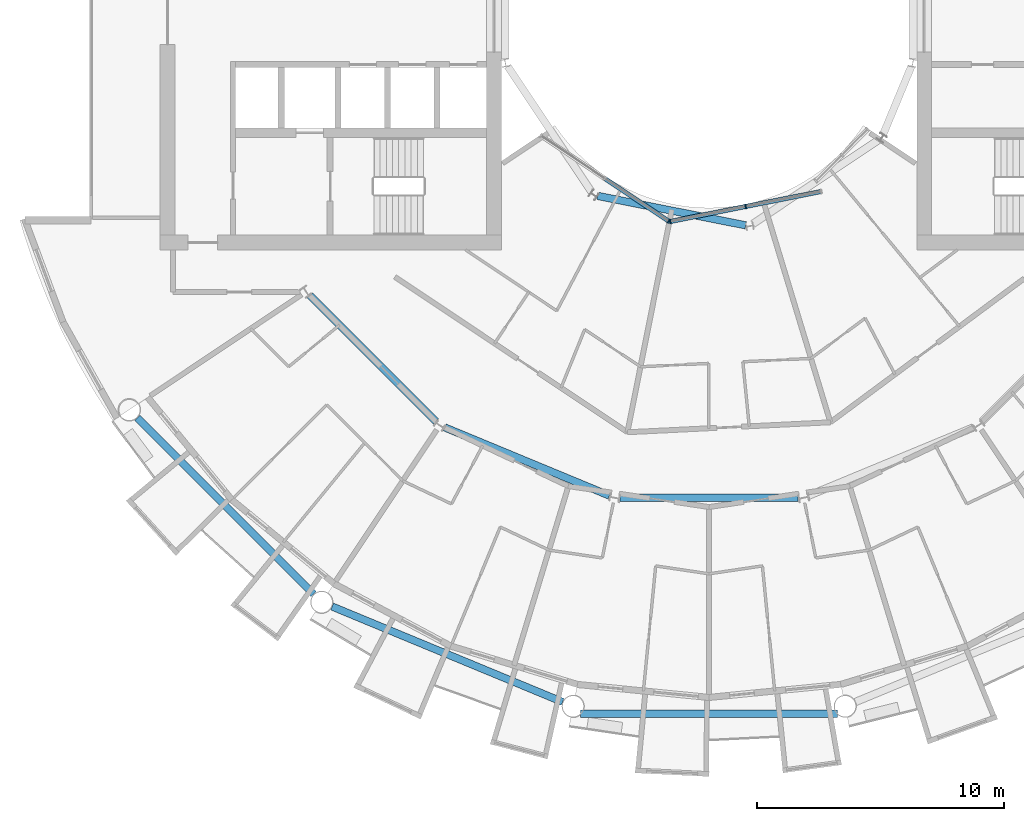
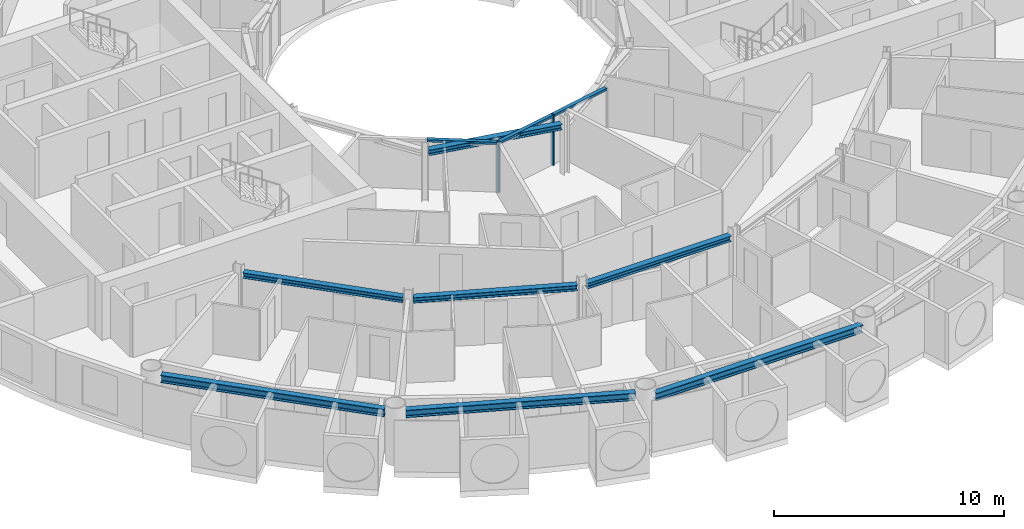
# One storey, part 5 of 27: 7 beams, 6 members, 2 elements without a shape of their own.
"""IFC4 building model written with IfcOpenShell, lengths in metres."""

from ifc_helpers import new_model, si_unit, direction, frame, origin, origin_2d, place, context, subcontext, project, spatial, rectangle, i_section, extrude, material, layer, layer_set, material_profile, profile_set, type_object, element, aggregate, save


model = new_model("IFC4")

# Units and contexts
model_context = context("Model", 3, precision=1e-05, world=origin(), true_north=direction((0.0, 1.0)))
body_context = subcontext(model_context, "Body", "Model", "MODEL_VIEW")
ifc_project = project(units=[si_unit("LENGTHUNIT", "METRE"), si_unit("AREAUNIT", "SQUARE_METRE"), si_unit("VOLUMEUNIT", "CUBIC_METRE"), si_unit("PLANEANGLEUNIT", "RADIAN"), si_unit("MASSUNIT", "GRAM", prefix="KILO")], contexts=[model_context])

# Site, building, storey
site_placement = place(None, origin())
site = spatial("IfcSite", under=ifc_project, at=site_placement, CompositionType="ELEMENT")
building_placement = place(site_placement, origin())
building = spatial("IfcBuilding", under=site, at=building_placement, Name="Maasbend Ring Residences", CompositionType="ELEMENT")
storey_placement = place(building_placement, frame((0.0, 0.0, 126.89990234375)))
storey = spatial("IfcBuildingStorey", under=building, at=storey_placement, Name="L36", CompositionType="ELEMENT", Elevation=126.89990234375)

# Curtain wall, member
ifc_material_1 = material(Name="Aluminium and clear glass", Category="aluminium")
ifc_layer = layer(ifc_material_1, 0.179931640625)
ifc_layer_set = layer_set([ifc_layer], Name="CW-W")
curtain_wall_type = type_object("IfcCurtainWallType", Name="CW-W", PredefinedType="NOTDEFINED", material=ifc_layer_set)
curtain_wall_1_placement = place(storey_placement, origin())
curtain_wall_1 = element("IfcCurtainWall", 1, at=curtain_wall_1_placement, inside=storey, type_object=curtain_wall_type, Name="Well curtain wall S1", PredefinedType="NOTDEFINED")
ifc_material_2 = material(Name="Aluminium 6063-T6", Category="aluminium")
ifc_material_profile_1 = material_profile(ifc_material_2, rectangle(XDim=0.179931640625, YDim=0.06005859375, at=origin_2d()), Name="AL 180x60")
ifc_profile_set_1 = profile_set([ifc_material_profile_1], Name="Aluminium 6063-T6")
member_type_1 = type_object("IfcMemberType", Name="CWM-W", PredefinedType="MULLION", material=ifc_profile_set_1)
member_1_placement = place(storey_placement, frame((-1.627685546875, -8.040771484375, 0.0), z_axis=(0.0, 0.0, 1.0), x_axis=(0.55557023302, 0.831469612303, 0.0)))
member_1 = element("IfcMember", 2, at=member_1_placement, type_object=member_type_1, Name="Mullion well face", PredefinedType="MULLION", context=body_context, shape_type="SweptSolid", body=[
    extrude(rectangle(XDim=0.179931640625, YDim=0.06005859375, at=origin_2d()), origin(), (0.0, 0.0, 1.0), 2.7001953125),
])

# Curtain wall, members
curtain_wall_2_placement = place(storey_placement, origin())
curtain_wall_2 = element("IfcCurtainWall", 3, at=curtain_wall_2_placement, inside=storey, type_object=curtain_wall_type, Name="Well curtain wall S2", PredefinedType="NOTDEFINED")
member_2_placement = place(storey_placement, frame((-1.5732421875, -8.0517578125, 0.0), z_axis=(0.0, 0.0, 1.0), x_axis=(-0.195090322016, 0.980785280403, 0.0)))
member_2 = element("IfcMember", 4, at=member_2_placement, type_object=member_type_1, Name="Mullion well face", PredefinedType="MULLION", context=body_context, shape_type="SweptSolid", body=[
    extrude(rectangle(XDim=0.179931640625, YDim=0.06005859375, at=origin_2d()), origin(), (0.0, 0.0, 1.0), 2.7001953125),
])
member_3_placement = place(storey_placement, frame((1.480712890625, -7.444091796875, 0.0), z_axis=(0.0, 0.0, 1.0), x_axis=(-0.195090322016, 0.980785280403, 0.0)))
member_3 = element("IfcMember", 5, at=member_3_placement, type_object=member_type_1, Name="Mullion well face", PredefinedType="MULLION", context=body_context, shape_type="SweptSolid", body=[
    extrude(rectangle(XDim=0.179931640625, YDim=0.06005859375, at=origin_2d()), origin(), (0.0, 0.0, 1.0), 2.7001953125),
])

# Member
ifc_material_3 = material(Name="Aluminium 6063-T6", Category="aluminium")
ifc_material_profile_2 = material_profile(ifc_material_3, rectangle(XDim=0.179931640625, YDim=0.1201171875, at=origin_2d()), Name="AL 180x120")
ifc_profile_set_2 = profile_set([ifc_material_profile_2], Name="Aluminium 6063-T6")
member_type_2 = type_object("IfcMemberType", Name="CWT-W", PredefinedType="USERDEFINED", material=ifc_profile_set_2)
member_4_placement = place(storey_placement, frame((-4.19189453125, -6.32763671875, 2.64013671875), z_axis=(0.831496422459, -0.555530106689, 0.0), x_axis=(0.555530106689, 0.831496422459, 0.0)))
member_4 = element("IfcMember", 6, at=member_4_placement, type_object=member_type_2, Name="Transom well face", ObjectType="TRANSOM", PredefinedType="USERDEFINED", context=body_context, shape_type="SweptSolid", body=[
    extrude(rectangle(XDim=0.179931640625, YDim=0.1201171875, at=origin_2d()), origin(), (0.0, 0.0, 1.0), 3.053955078125),
])

aggregate(curtain_wall_1, [member_1, member_4])

member_5_placement = place(storey_placement, frame((-1.5439453125, -8.0458984375, 2.64013671875), z_axis=(0.980776956105, 0.195132166424, 0.0), x_axis=(-0.195132166424, 0.980776956105, 0.0)))
member_5 = element("IfcMember", 7, at=member_5_placement, type_object=member_type_2, Name="Transom well face", ObjectType="TRANSOM", PredefinedType="USERDEFINED", context=body_context, shape_type="SweptSolid", body=[
    extrude(rectangle(XDim=0.179931640625, YDim=0.1201171875, at=origin_2d()), origin(), (0.0, 0.0, 1.0), 3.053955078125),
])

member_6_placement = place(storey_placement, frame((1.51025390625, -7.438232421875, 2.64013671875), z_axis=(0.980789210404, 0.19507056353, 0.0), x_axis=(-0.19507056353, 0.980789210404, 0.0)))
member_6 = element("IfcMember", 8, at=member_6_placement, type_object=member_type_2, Name="Transom well face", ObjectType="TRANSOM", PredefinedType="USERDEFINED", context=body_context, shape_type="SweptSolid", body=[
    extrude(rectangle(XDim=0.179931640625, YDim=0.1201171875, at=origin_2d()), origin(), (0.0, 0.0, 1.0), 3.0537109375),
])

aggregate(curtain_wall_2, [member_2, member_3, member_5, member_6])

# Beams
ifc_material_4 = material(Name="Steel S355J2", Category="steel")
ifc_material_profile_3 = material_profile(ifc_material_4, i_section(OverallWidth=0.300048828125, OverallDepth=0.2900390625, WebThickness=0.008544921875, FlangeThickness=0.013916015625, FilletRadius=0.027099609375, at=origin_2d()), Name="HEA 300")
ifc_profile_set_3 = profile_set([ifc_material_profile_3], Name="Steel S355J2")
beam_type_1 = type_object("IfcBeamType", Name="Corridor ring beam HEA 300", PredefinedType="BEAM", material=ifc_profile_set_3)
for number, where, z_axis, x_axis, name in (
    (9, (-16.14111328125, -11.044921875, 2.55517578125), (0.707106781187, -0.707106781187, 0.0), (0.707106781187, 0.707106781187, 0.0), "Corridor ring beam"),
    (10, (-10.685791015625, -16.381103515625, 2.55517578125), (0.923877693919, -0.382687871089, 0.0), (0.382687871089, 0.923877693919, 0.0), "Corridor ring beam"),
    (11, (-3.603515625, -19.223388671875, 2.55517578125), (1.0, 0.0, 0.0), (0.0, 1.0, 0.0), "Corridor ring beam"),
):
    element("IfcBeam", number, at=place(storey_placement, frame(where, z_axis=z_axis, x_axis=x_axis)), inside=storey, type_object=beam_type_1, Name=name, PredefinedType="BEAM", context=body_context, shape_type="SweptSolid", body=[
        extrude(i_section(OverallWidth=0.300048828125, OverallDepth=0.2900390625, WebThickness=0.008544921875, FlangeThickness=0.013916015625, FilletRadius=0.027099609375, at=origin_2d()), origin(), (0.0, 0.0, 1.0), 7.20703125),
    ])
ifc_material_5 = material(Name="Steel S355J2", Category="steel")
ifc_material_profile_4 = material_profile(ifc_material_5, i_section(OverallWidth=0.300048828125, OverallDepth=0.39990234375, WebThickness=0.013427734375, FlangeThickness=0.02392578125, FilletRadius=0.027099609375, at=origin_2d()), Name="HEB 400")
ifc_profile_set_4 = profile_set([ifc_material_profile_4], Name="Steel S355J2")
beam_type_2 = type_object("IfcBeamType", Name="Spandrel ring beam HEB 400", PredefinedType="SPANDREL", material=ifc_profile_set_4)
for number, where, z_axis, x_axis, name in (
    (12, (-23.124267578125, -15.990234375, 2.5), (0.707106781187, -0.707106781187, 0.0), (0.707106781187, 0.707106781187, 0.0), "Spandrel ring beam"),
    (13, (-15.244873046875, -23.622314453125, 2.5), (0.92388529709, -0.382669515144, 0.0), (0.382669515144, 0.92388529709, 0.0), "Spandrel ring beam"),
):
    element("IfcBeam", number, at=place(storey_placement, frame(where, z_axis=z_axis, x_axis=x_axis)), inside=storey, type_object=beam_type_2, Name=name, PredefinedType="SPANDREL", context=body_context, shape_type="SweptSolid", body=[
        extrude(i_section(OverallWidth=0.300048828125, OverallDepth=0.39990234375, WebThickness=0.013427734375, FlangeThickness=0.02392578125, FilletRadius=0.027099609375, at=origin_2d()), origin(), (0.0, 0.0, 1.0), 10.089111328125),
    ])
beam_1_placement = place(storey_placement, frame((-5.194580078125, -27.9580078125, 2.5), z_axis=(1.0, 0.0, 0.0), x_axis=(0.0, 1.0, 0.0)))
element("IfcBeam", 14, at=beam_1_placement, inside=storey, type_object=beam_type_2, Name="Spandrel ring beam", PredefinedType="SPANDREL", context=body_context, shape_type="SweptSolid", body=[
    extrude(i_section(OverallWidth=0.300048828125, OverallDepth=0.39990234375, WebThickness=0.013427734375, FlangeThickness=0.02392578125, FilletRadius=0.027099609375, at=origin_2d()), origin(), (0.0, 0.0, 1.0), 10.38916015625),
])
ifc_material_6 = material(Name="Steel S355J2", Category="steel")
ifc_material_profile_5 = material_profile(ifc_material_6, i_section(OverallWidth=0.300048828125, OverallDepth=0.2900390625, WebThickness=0.008544921875, FlangeThickness=0.013916015625, FilletRadius=0.027099609375, at=origin_2d()), Name="HEA 300")
ifc_profile_set_5 = profile_set([ifc_material_profile_5], Name="Steel S355J2")
beam_type_3 = type_object("IfcBeamType", Name="Well edge beam HEA 300", PredefinedType="BEAM", material=ifc_profile_set_5)
beam_2_placement = place(storey_placement, frame((-4.507568359375, -7.01611328125, 2.55517578125), z_axis=(0.980792381321, -0.195054619896, 0.0), x_axis=(0.195054619896, 0.980792381321, 0.0)))
element("IfcBeam", 15, at=beam_2_placement, inside=storey, type_object=beam_type_3, Name="Well edge beam", PredefinedType="BEAM", context=body_context, shape_type="SweptSolid", body=[
    extrude(i_section(OverallWidth=0.300048828125, OverallDepth=0.2900390625, WebThickness=0.008544921875, FlangeThickness=0.013916015625, FilletRadius=0.027099609375, at=origin_2d()), origin(), (0.0, 0.0, 1.0), 6.104248046875),
])

save(model, "model.ifc")
